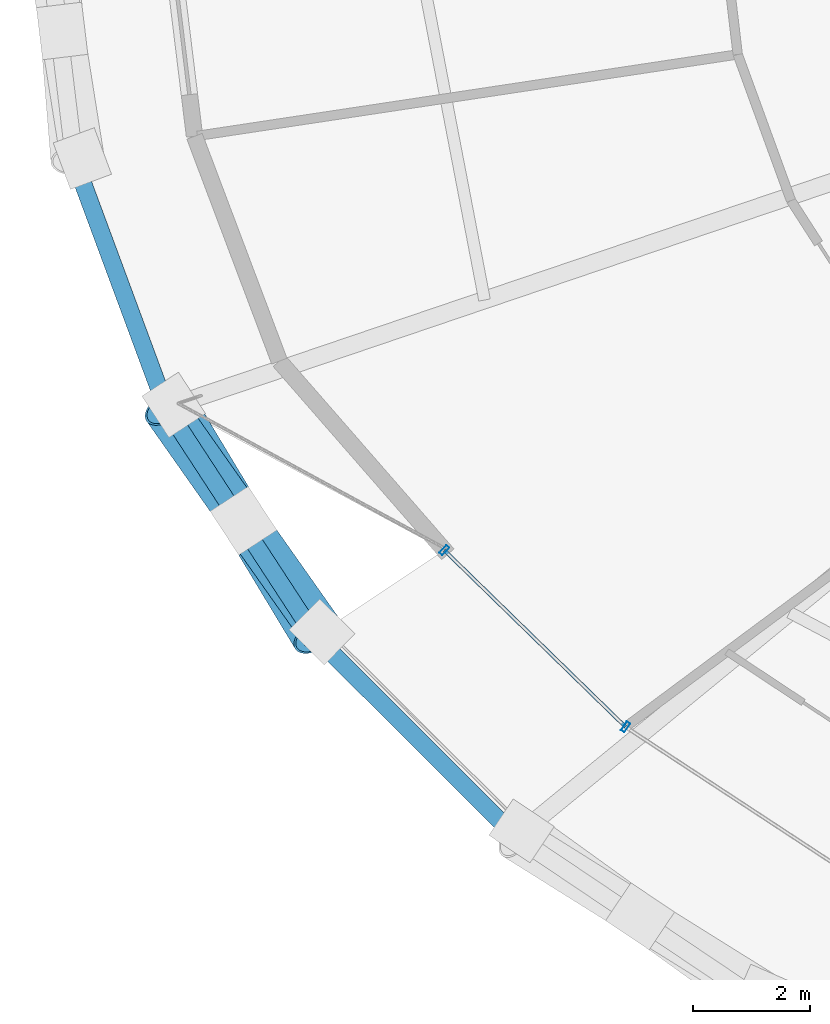
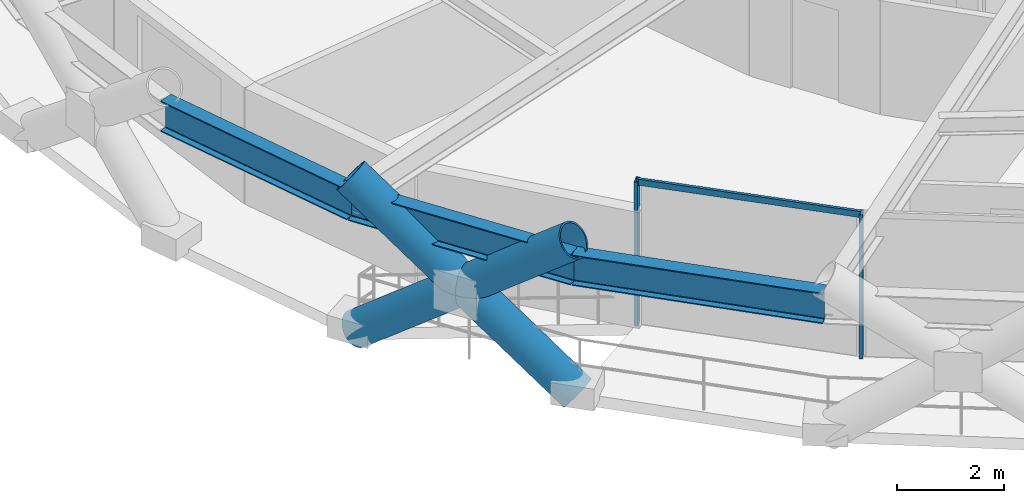
# One storey, part 2 of 17: 6 members, 3 beams, 1 element without a shape of its own.
"""IFC4 building model written with IfcOpenShell, lengths in metres."""

from ifc_helpers import new_model, si_unit, direction, frame, origin, origin_2d, place, context, subcontext, project, spatial, hollow_rectangle, hollow_circle, i_section, extrude, material, layer, layer_set, material_profile, profile_set, type_object, element, aggregate, save


model = new_model("IFC4")

# Units and contexts
model_context = context("Model", 3, precision=1e-05, world=origin(), true_north=direction((0.0, 1.0)))
body_context = subcontext(model_context, "Body", "Model", "MODEL_VIEW")
ifc_project = project(units=[si_unit("LENGTHUNIT", "METRE"), si_unit("AREAUNIT", "SQUARE_METRE"), si_unit("VOLUMEUNIT", "CUBIC_METRE"), si_unit("PLANEANGLEUNIT", "RADIAN"), si_unit("MASSUNIT", "GRAM", prefix="KILO")], contexts=[model_context])

# Site, building, storey
site_placement = place(None, origin())
site = spatial("IfcSite", under=ifc_project, at=site_placement, CompositionType="ELEMENT")
building_placement = place(site_placement, origin())
building = spatial("IfcBuilding", under=site, at=building_placement, Name="Veldorina Hangang Commons", CompositionType="ELEMENT")
storey_placement = place(building_placement, frame((0.0, 0.0, 30.39990234375)))
storey = spatial("IfcBuildingStorey", under=building, at=storey_placement, Name="L06", CompositionType="ELEMENT", Elevation=30.39990234375)

# Beams
ifc_material_1 = material(Name="Steel SM460-TMC", Category="steel")
ifc_material_profile_1 = material_profile(ifc_material_1, i_section(OverallWidth=0.300048828125, OverallDepth=0.699951171875, WebThickness=0.012939453125, FlangeThickness=0.02392578125, FilletRadius=0.02197265625, at=origin_2d()), Name="H-700x300x13x24")
ifc_profile_set_1 = profile_set([ifc_material_profile_1], Name="Steel SM460-TMC")
beam_type = type_object("IfcBeamType", Name="BM-RB700", PredefinedType="BEAM", material=ifc_profile_set_1)
beam_1_placement = place(storey_placement, frame((4.8916015625, 19.583251953125, 2.989990234375), z_axis=(0.347316111506, -0.937748110469, 0.0), x_axis=(0.937748110469, 0.347316111506, 0.0)))
element("IfcBeam", 1, at=beam_1_placement, inside=storey, type_object=beam_type, Name="L06 perimeter hoop ring beam 17", PredefinedType="BEAM", context=body_context, shape_type="SweptSolid", body=[
    extrude(i_section(OverallWidth=0.300048828125, OverallDepth=0.699951171875, WebThickness=0.012939453125, FlangeThickness=0.02392578125, FilletRadius=0.02197265625, at=origin_2d()), origin(), (0.0, 0.0, 1.0), 4.529052734375),
])
beam_2_placement = place(storey_placement, frame((6.464599609375, 15.336181640625, 2.989990234375), z_axis=(0.546500399865, -0.837458842539, 0.0), x_axis=(0.837458842539, 0.546500399865, 0.0)))
element("IfcBeam", 2, at=beam_2_placement, inside=storey, type_object=beam_type, Name="L06 perimeter hoop ring beam 18", PredefinedType="BEAM", context=body_context, shape_type="SweptSolid", body=[
    extrude(i_section(OverallWidth=0.300048828125, OverallDepth=0.699951171875, WebThickness=0.012939453125, FlangeThickness=0.02392578125, FilletRadius=0.02197265625, at=origin_2d()), origin(), (0.0, 0.0, 1.0), 4.673828125),
])
beam_3_placement = place(storey_placement, frame((9.018798828125, 11.422119140625, 2.989990234375), z_axis=(0.707760043615, -0.706452914681, 0.0), x_axis=(0.706452914681, 0.707760043615, 0.0)))
element("IfcBeam", 3, at=beam_3_placement, inside=storey, type_object=beam_type, Name="L06 perimeter hoop ring beam 19", PredefinedType="BEAM", context=body_context, shape_type="SweptSolid", body=[
    extrude(i_section(OverallWidth=0.300048828125, OverallDepth=0.699951171875, WebThickness=0.012939453125, FlangeThickness=0.02392578125, FilletRadius=0.02197265625, at=origin_2d()), origin(), (0.0, 0.0, 1.0), 4.856201171875),
])

# Curtain wall, members
ifc_material_2 = material(Name="Glass Low-E Triple IGU", Category="glass")
ifc_layer = layer(ifc_material_2, 0.179931640625)
ifc_layer_set = layer_set([ifc_layer], Name="Glass Low-E Triple IGU")
curtain_wall_type = type_object("IfcCurtainWallType", Name="CW-SYS-Z1", PredefinedType="NOTDEFINED", material=ifc_layer_set)
curtain_wall_placement = place(storey_placement, origin())
curtain_wall = element("IfcCurtainWall", 4, at=curtain_wall_placement, inside=storey, type_object=curtain_wall_type, Name="L06 unitised curtain wall CW-L06-R1", PredefinedType="NOTDEFINED")
ifc_material_3 = material(Name="Aluminium Anodized AA6063-T6", Category="aluminium")
ifc_material_profile_2 = material_profile(ifc_material_3, hollow_rectangle(XDim=0.070068359375, YDim=0.179931640625, WallThickness=0.00390625, at=origin_2d()), Name="ALU-RHS-180x70x4")
ifc_profile_set_2 = profile_set([ifc_material_profile_2], Name="Aluminium Anodized AA6063-T6")
member_type_1 = type_object("IfcMemberType", Name="CW-MUL-180", PredefinedType="MULLION", material=ifc_profile_set_2)
member_1_placement = place(storey_placement, frame((11.22998046875, 12.899658203125, 0.0), z_axis=(0.0, 0.0, 1.0), x_axis=(0.716143601355, -0.697952965635, 0.0)))
member_1 = element("IfcMember", 5, at=member_1_placement, type_object=member_type_1, Name="CW-L06-R1 vertical mullion 1", PredefinedType="MULLION", context=body_context, shape_type="SweptSolid", body=[
    extrude(hollow_rectangle(XDim=0.070068359375, YDim=0.179931640625, WallThickness=0.00390625, at=origin_2d()), origin(), (0.0, 0.0, 1.0), 3.300048828125),
])
member_2_placement = place(storey_placement, frame((14.33642578125, 9.8720703125, 0.0), z_axis=(0.0, 0.0, 1.0), x_axis=(0.835979800725, -0.548760214283, 0.0)))
member_2 = element("IfcMember", 6, at=member_2_placement, type_object=member_type_1, Name="CW-L06-R1 vertical mullion 2", PredefinedType="MULLION", context=body_context, shape_type="SweptSolid", body=[
    extrude(hollow_rectangle(XDim=0.070068359375, YDim=0.179931640625, WallThickness=0.00390625, at=origin_2d()), origin(), (0.0, 0.0, 1.0), 3.300048828125),
])
ifc_material_profile_3 = material_profile(ifc_material_3, hollow_rectangle(XDim=0.06005859375, YDim=0.139892578125, WallThickness=0.00341796875, at=origin_2d()), Name="ALU-RHS-140x60x3.5")
ifc_profile_set_3 = profile_set([ifc_material_profile_3], Name="Aluminium Anodized AA6063-T6")
member_type_2 = type_object("IfcMemberType", Name="CW-TRN-140", PredefinedType="USERDEFINED", material=ifc_profile_set_3)
member_3_placement = place(storey_placement, frame((11.22998046875, 12.899658203125, 3.260009765625), z_axis=(0.716137973497, -0.697958740124, 0.0), x_axis=(0.697958740124, 0.716137973497, 0.0)))
member_3 = element("IfcMember", 7, at=member_3_placement, type_object=member_type_2, Name="CW-L06-R1 facet 1 transom 1", ObjectType="TRANSOM", PredefinedType="USERDEFINED", context=body_context, shape_type="SweptSolid", body=[
    extrude(hollow_rectangle(XDim=0.06005859375, YDim=0.139892578125, WallThickness=0.00341796875, at=origin_2d()), origin(), (0.0, 0.0, 1.0), 4.337890625),
])
aggregate(curtain_wall, [member_1, member_2, member_3])

# Members
ifc_material_profile_4 = material_profile(ifc_material_1, hollow_circle(Radius=0.375, WallThickness=0.035888671875, at=origin_2d()), Name="CHS-750x36")
ifc_profile_set_4 = profile_set([ifc_material_profile_4], Name="Steel SM460-TMC")
member_type_3 = type_object("IfcMemberType", Name="DG-CHS750", PredefinedType="BRACE", material=ifc_profile_set_4)
member_4_placement = place(storey_placement, frame((6.59326171875, 15.3896484375, 0.0), z_axis=(0.408356413307, -0.67720419629, 0.612078031167), x_axis=(0.85635615413, 0.516385647829, 0.0)))
element("IfcMember", 8, at=member_4_placement, inside=storey, type_object=member_type_3, Name="L06 continuous perimeter diagrid brace 18", PredefinedType="BRACE", context=body_context, shape_type="SweptSolid", body=[
    extrude(hollow_circle(Radius=0.375, WallThickness=0.035888671875, at=origin_2d()), origin(), (0.0, 0.0, 1.0), 5.8818359375),
])
member_5_placement = place(storey_placement, frame((9.134521484375, 11.499755859375, 0.0), z_axis=(-0.457069641697, 0.647598308606, 0.609675137536), x_axis=(-0.817002677932, -0.576633873661, 0.0)))
element("IfcMember", 9, at=member_5_placement, inside=storey, type_object=member_type_3, Name="L06 split perimeter diagrid lower brace 19", PredefinedType="BRACE", context=body_context, shape_type="SweptSolid", body=[
    extrude(hollow_circle(Radius=0.375, WallThickness=0.035888671875, at=origin_2d()), origin(), (0.0, 0.0, 1.0), 2.942138671875),
])
member_6_placement = place(storey_placement, frame((7.789794921875, 13.405029296875, 1.793701171875), z_axis=(-0.456188326781, 0.648189555357, 0.609706905681), x_axis=(-0.81777379837, -0.575539759443, 0.0)))
element("IfcMember", 10, at=member_6_placement, inside=storey, type_object=member_type_3, Name="L06 split perimeter diagrid upper brace 19", PredefinedType="BRACE", context=body_context, shape_type="SweptSolid", body=[
    extrude(hollow_circle(Radius=0.375, WallThickness=0.035888671875, at=origin_2d()), origin(), (0.0, 0.0, 1.0), 2.962646484375),
])

save(model, "model.ifc")
